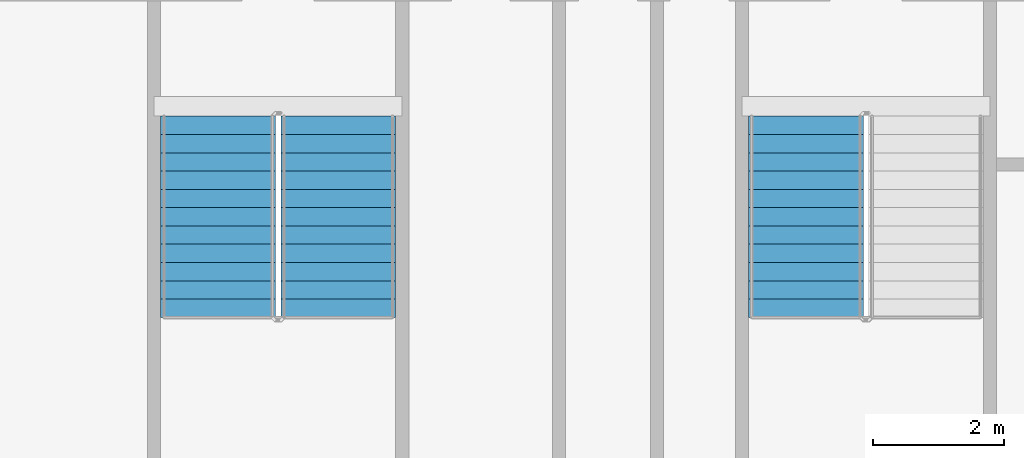
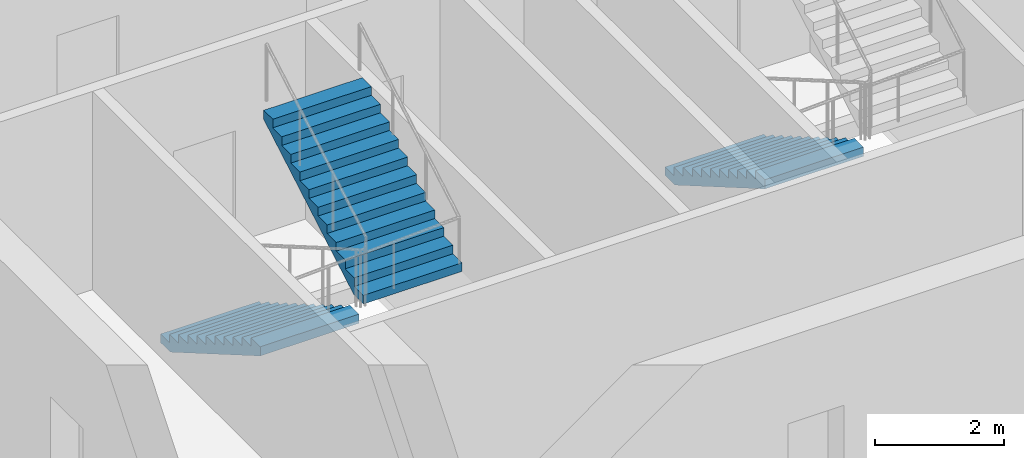
# One storey, part 14 of 21: 3 stair flights, 2 elements without a shape of their own.
"""IFC4 building model written with IfcOpenShell, lengths in metres."""

from ifc_helpers import new_model, si_unit, direction, frame, origin, place, context, subcontext, project, spatial, faceted_brep, material, type_object, element, aggregate, save


model = new_model("IFC4")

# Units and contexts
model_context = context("Model", 3, precision=1e-05, world=origin(), true_north=direction((0.0, 1.0)))
body_context = subcontext(model_context, "Body", "Model", "MODEL_VIEW")
ifc_project = project(units=[si_unit("LENGTHUNIT", "METRE"), si_unit("AREAUNIT", "SQUARE_METRE"), si_unit("VOLUMEUNIT", "CUBIC_METRE"), si_unit("PLANEANGLEUNIT", "RADIAN"), si_unit("MASSUNIT", "GRAM", prefix="KILO")], contexts=[model_context])

# Site, building, storey
site_placement = place(None, origin())
site = spatial("IfcSite", under=ifc_project, at=site_placement, CompositionType="ELEMENT")
building_placement = place(site_placement, origin())
building = spatial("IfcBuilding", under=site, at=building_placement, Name="Tarsis Ring Headquarters", CompositionType="ELEMENT")
storey_placement = place(building_placement, frame((0.0, 0.0, 255.199951171875)))
storey = spatial("IfcBuildingStorey", under=building, at=storey_placement, Name="L59", CompositionType="ELEMENT", Elevation=255.199951171875)

# Stair, stair flights
ifc_material_1 = material(Name="Core stair 1760")
stair_type = type_object("IfcStairType", Name="Core stair 1760", PredefinedType="HALF_TURN_STAIR", material=ifc_material_1)
stair_1_placement = place(storey_placement, origin())
stair_1 = element("IfcStair", 1, at=stair_1_placement, inside=storey, type_object=stair_type, Name="L59 Exit stair C", PredefinedType="HALF_TURN_STAIR")
ifc_material_2 = material(Name="Concrete C40/50", Category="concrete")
stair_flight_type = type_object("IfcStairFlightType", Name="Core stair flight 1760", PredefinedType="STRAIGHT", material=ifc_material_2)
stair_flight_1_placement = place(storey_placement, frame((-5.419921875, -3.659912109375, 0.0), z_axis=(0.0, 0.0, 1.0), x_axis=(0.0, -1.0, 0.0)))
stair_flight_1 = element("IfcStairFlight", 2, at=stair_flight_1_placement, type_object=stair_flight_type, Name="Stair ST3 flight 1", NumberOfRisers=12, NumberOfTreads=11, PredefinedType="STRAIGHT", RiserHeight=0.1625, TreadLength=0.28, context=body_context, shape_type="Brep", body=[
    faceted_brep([(0.0, 0.8798828125, 0.0), (0.0, 0.8798828125, 0.16259765625), (0.280029296875, 0.8798828125, 0.16259765625), (0.280029296875, 0.8798828125, 0.324951171875), (0.56005859375, 0.8798828125, 0.324951171875), (0.56005859375, 0.8798828125, 0.487548828125), (0.840087890625, 0.8798828125, 0.487548828125), (0.840087890625, 0.8798828125, 0.64990234375), (1.1201171875, 0.8798828125, 0.64990234375), (1.1201171875, 0.8798828125, 0.8125), (1.39990234375, 0.8798828125, 0.8125), (1.39990234375, 0.8798828125, 0.97509765625), (1.679931640625, 0.8798828125, 0.97509765625), (1.679931640625, 0.8798828125, 1.137451171875), (1.9599609375, 0.8798828125, 1.137451171875), (1.9599609375, 0.8798828125, 1.300048828125), (2.239990234375, 0.8798828125, 1.300048828125), (2.239990234375, 0.8798828125, 1.46240234375), (2.52001953125, 0.8798828125, 1.46240234375), (2.52001953125, 0.8798828125, 1.625), (2.800048828125, 0.8798828125, 1.625), (2.800048828125, 0.8798828125, 1.78759765625), (3.080078125, 0.8798828125, 1.78759765625), (3.080078125, 0.8798828125, 1.6142578125), (0.298583984375, 0.8798828125, 0.0), (0.298583984375, -0.8798828125, 0.0), (3.080078125, -0.8798828125, 1.6142578125), (3.080078125, -0.8798828125, 1.78759765625), (2.800048828125, -0.8798828125, 1.78759765625), (2.800048828125, -0.8798828125, 1.625), (2.52001953125, -0.8798828125, 1.625), (2.52001953125, -0.8798828125, 1.46240234375), (2.239990234375, -0.8798828125, 1.46240234375), (2.239990234375, -0.8798828125, 1.300048828125), (1.9599609375, -0.8798828125, 1.300048828125), (1.9599609375, -0.8798828125, 1.137451171875), (1.679931640625, -0.8798828125, 1.137451171875), (1.679931640625, -0.8798828125, 0.97509765625), (1.39990234375, -0.8798828125, 0.97509765625), (1.39990234375, -0.8798828125, 0.8125), (1.1201171875, -0.8798828125, 0.8125), (1.1201171875, -0.8798828125, 0.64990234375), (0.840087890625, -0.8798828125, 0.64990234375), (0.840087890625, -0.8798828125, 0.487548828125), (0.56005859375, -0.8798828125, 0.487548828125), (0.56005859375, -0.8798828125, 0.324951171875), (0.280029296875, -0.8798828125, 0.324951171875), (0.280029296875, -0.8798828125, 0.16259765625), (0.0, -0.8798828125, 0.16259765625), (0.0, -0.8798828125, 0.0), (0.0, -0.43994140625, 0.16259765625), (0.0, -0.43994140625, 0.0), (0.0, 0.0, 0.16259765625), (0.0, 0.0, 0.0), (0.0, 0.43994140625, 0.16259765625), (0.0, 0.43994140625, 0.0), (0.280029296875, -0.43994140625, 0.16259765625), (0.280029296875, 0.0, 0.16259765625), (0.280029296875, 0.43994140625, 0.16259765625), (0.280029296875, -0.43994140625, 0.324951171875), (0.280029296875, 0.0, 0.324951171875), (0.280029296875, 0.43994140625, 0.324951171875), (0.56005859375, -0.43994140625, 0.324951171875), (0.56005859375, 0.0, 0.324951171875), (0.56005859375, 0.43994140625, 0.324951171875), (0.56005859375, -0.43994140625, 0.487548828125), (0.56005859375, 0.0, 0.487548828125), (0.56005859375, 0.43994140625, 0.487548828125), (0.840087890625, -0.43994140625, 0.487548828125), (0.840087890625, 0.0, 0.487548828125), (0.840087890625, 0.43994140625, 0.487548828125), (0.840087890625, -0.43994140625, 0.64990234375), (0.840087890625, 0.0, 0.64990234375), (0.840087890625, 0.43994140625, 0.64990234375), (1.1201171875, -0.43994140625, 0.64990234375), (1.1201171875, 0.0, 0.64990234375), (1.1201171875, 0.43994140625, 0.64990234375), (1.1201171875, -0.43994140625, 0.8125), (1.1201171875, 0.0, 0.8125), (1.1201171875, 0.43994140625, 0.8125), (1.39990234375, -0.43994140625, 0.8125), (1.39990234375, 0.0, 0.8125), (1.39990234375, 0.43994140625, 0.8125), (1.39990234375, -0.43994140625, 0.97509765625), (1.39990234375, 0.0, 0.97509765625), (1.39990234375, 0.43994140625, 0.97509765625), (1.679931640625, -0.43994140625, 0.97509765625), (1.679931640625, 0.0, 0.97509765625), (1.679931640625, 0.43994140625, 0.97509765625), (1.679931640625, -0.43994140625, 1.137451171875), (1.679931640625, 0.0, 1.137451171875), (1.679931640625, 0.43994140625, 1.137451171875), (1.9599609375, -0.43994140625, 1.137451171875), (1.9599609375, 0.0, 1.137451171875), (1.9599609375, 0.43994140625, 1.137451171875), (1.9599609375, -0.43994140625, 1.300048828125), (1.9599609375, 0.0, 1.300048828125), (1.9599609375, 0.43994140625, 1.300048828125), (2.239990234375, -0.43994140625, 1.300048828125), (2.239990234375, 0.0, 1.300048828125), (2.239990234375, 0.43994140625, 1.300048828125), (2.239990234375, -0.43994140625, 1.46240234375), (2.239990234375, 0.0, 1.46240234375), (2.239990234375, 0.43994140625, 1.46240234375), (2.52001953125, -0.43994140625, 1.46240234375), (2.52001953125, 0.0, 1.46240234375), (2.52001953125, 0.43994140625, 1.46240234375), (2.52001953125, -0.43994140625, 1.625), (2.52001953125, 0.0, 1.625), (2.52001953125, 0.43994140625, 1.625), (2.800048828125, -0.43994140625, 1.625), (2.800048828125, 0.0, 1.625), (2.800048828125, 0.43994140625, 1.625), (2.800048828125, -0.43994140625, 1.78759765625), (2.800048828125, 0.0, 1.78759765625), (2.800048828125, 0.43994140625, 1.78759765625), (3.080078125, -0.43994140625, 1.78759765625), (3.080078125, 0.0, 1.78759765625), (3.080078125, 0.43994140625, 1.78759765625), (3.080078125, -0.43994140625, 1.6142578125), (3.080078125, 0.0, 1.6142578125), (3.080078125, 0.43994140625, 1.6142578125), (0.298583984375, -0.43994140625, 0.0), (0.298583984375, 0.0, 0.0), (0.298583984375, 0.43994140625, 0.0)], [[[0, 1, 2, 3, 4, 5, 6, 7, 8, 9, 10, 11, 12, 13, 14, 15, 16, 17, 18, 19, 20, 21, 22, 23, 24]], [[25, 26, 27, 28, 29, 30, 31, 32, 33, 34, 35, 36, 37, 38, 39, 40, 41, 42, 43, 44, 45, 46, 47, 48, 49]], [[49, 48, 50, 51]], [[51, 50, 52, 53]], [[53, 52, 54, 55]], [[55, 54, 1, 0]], [[48, 47, 56, 50]], [[50, 56, 57, 52]], [[52, 57, 58, 54]], [[54, 58, 2, 1]], [[47, 46, 59, 56]], [[56, 59, 60, 57]], [[57, 60, 61, 58]], [[58, 61, 3, 2]], [[46, 45, 62, 59]], [[59, 62, 63, 60]], [[60, 63, 64, 61]], [[61, 64, 4, 3]], [[45, 44, 65, 62]], [[62, 65, 66, 63]], [[63, 66, 67, 64]], [[64, 67, 5, 4]], [[44, 43, 68, 65]], [[65, 68, 69, 66]], [[66, 69, 70, 67]], [[67, 70, 6, 5]], [[43, 42, 71, 68]], [[68, 71, 72, 69]], [[69, 72, 73, 70]], [[70, 73, 7, 6]], [[42, 41, 74, 71]], [[71, 74, 75, 72]], [[72, 75, 76, 73]], [[73, 76, 8, 7]], [[41, 40, 77, 74]], [[74, 77, 78, 75]], [[75, 78, 79, 76]], [[76, 79, 9, 8]], [[40, 39, 80, 77]], [[77, 80, 81, 78]], [[78, 81, 82, 79]], [[79, 82, 10, 9]], [[39, 38, 83, 80]], [[80, 83, 84, 81]], [[81, 84, 85, 82]], [[82, 85, 11, 10]], [[38, 37, 86, 83]], [[83, 86, 87, 84]], [[84, 87, 88, 85]], [[85, 88, 12, 11]], [[37, 36, 89, 86]], [[86, 89, 90, 87]], [[87, 90, 91, 88]], [[88, 91, 13, 12]], [[36, 35, 92, 89]], [[89, 92, 93, 90]], [[90, 93, 94, 91]], [[91, 94, 14, 13]], [[35, 34, 95, 92]], [[92, 95, 96, 93]], [[93, 96, 97, 94]], [[94, 97, 15, 14]], [[34, 33, 98, 95]], [[95, 98, 99, 96]], [[96, 99, 100, 97]], [[97, 100, 16, 15]], [[33, 32, 101, 98]], [[98, 101, 102, 99]], [[99, 102, 103, 100]], [[100, 103, 17, 16]], [[32, 31, 104, 101]], [[101, 104, 105, 102]], [[102, 105, 106, 103]], [[103, 106, 18, 17]], [[31, 30, 107, 104]], [[104, 107, 108, 105]], [[105, 108, 109, 106]], [[106, 109, 19, 18]], [[30, 29, 110, 107]], [[107, 110, 111, 108]], [[108, 111, 112, 109]], [[109, 112, 20, 19]], [[29, 28, 113, 110]], [[110, 113, 114, 111]], [[111, 114, 115, 112]], [[112, 115, 21, 20]], [[28, 27, 116, 113]], [[113, 116, 117, 114]], [[114, 117, 118, 115]], [[115, 118, 22, 21]], [[27, 26, 119, 116]], [[116, 119, 120, 117]], [[117, 120, 121, 118]], [[118, 121, 23, 22]], [[26, 25, 122, 119]], [[119, 122, 123, 120]], [[120, 123, 124, 121]], [[121, 124, 24, 23]], [[25, 49, 51, 122]], [[122, 51, 53, 123]], [[123, 53, 55, 124]], [[124, 55, 0, 24]]]),
])
stair_flight_2_placement = place(storey_placement, frame((-3.580078125, -6.739990234375, 1.949951171875), z_axis=(0.0, 0.0, 1.0), x_axis=(0.0, 1.0, 0.0)))
stair_flight_2 = element("IfcStairFlight", 3, at=stair_flight_2_placement, type_object=stair_flight_type, Name="Stair ST3 flight 2", NumberOfRisers=12, NumberOfTreads=11, PredefinedType="STRAIGHT", RiserHeight=0.1625, TreadLength=0.28, context=body_context, shape_type="Brep", body=[
    faceted_brep([(0.0, 0.8798828125, 0.0), (0.0, 0.8798828125, 0.16259765625), (0.280029296875, 0.8798828125, 0.16259765625), (0.280029296875, 0.8798828125, 0.324951171875), (0.56005859375, 0.8798828125, 0.324951171875), (0.56005859375, 0.8798828125, 0.487548828125), (0.840087890625, 0.8798828125, 0.487548828125), (0.840087890625, 0.8798828125, 0.64990234375), (1.1201171875, 0.8798828125, 0.64990234375), (1.1201171875, 0.8798828125, 0.8125), (1.39990234375, 0.8798828125, 0.8125), (1.39990234375, 0.8798828125, 0.97509765625), (1.679931640625, 0.8798828125, 0.97509765625), (1.679931640625, 0.8798828125, 1.137451171875), (1.9599609375, 0.8798828125, 1.137451171875), (1.9599609375, 0.8798828125, 1.300048828125), (2.239990234375, 0.8798828125, 1.300048828125), (2.239990234375, 0.8798828125, 1.46240234375), (2.52001953125, 0.8798828125, 1.46240234375), (2.52001953125, 0.8798828125, 1.625), (2.800048828125, 0.8798828125, 1.625), (2.800048828125, 0.8798828125, 1.78759765625), (3.080078125, 0.8798828125, 1.78759765625), (3.080078125, 0.8798828125, 1.6142578125), (0.298583984375, 0.8798828125, 0.0), (0.298583984375, -0.8798828125, 0.0), (3.080078125, -0.8798828125, 1.6142578125), (3.080078125, -0.8798828125, 1.78759765625), (2.800048828125, -0.8798828125, 1.78759765625), (2.800048828125, -0.8798828125, 1.625), (2.52001953125, -0.8798828125, 1.625), (2.52001953125, -0.8798828125, 1.46240234375), (2.239990234375, -0.8798828125, 1.46240234375), (2.239990234375, -0.8798828125, 1.300048828125), (1.9599609375, -0.8798828125, 1.300048828125), (1.9599609375, -0.8798828125, 1.137451171875), (1.679931640625, -0.8798828125, 1.137451171875), (1.679931640625, -0.8798828125, 0.97509765625), (1.39990234375, -0.8798828125, 0.97509765625), (1.39990234375, -0.8798828125, 0.8125), (1.1201171875, -0.8798828125, 0.8125), (1.1201171875, -0.8798828125, 0.64990234375), (0.840087890625, -0.8798828125, 0.64990234375), (0.840087890625, -0.8798828125, 0.487548828125), (0.56005859375, -0.8798828125, 0.487548828125), (0.56005859375, -0.8798828125, 0.324951171875), (0.280029296875, -0.8798828125, 0.324951171875), (0.280029296875, -0.8798828125, 0.16259765625), (0.0, -0.8798828125, 0.16259765625), (0.0, -0.8798828125, 0.0), (0.0, -0.43994140625, 0.16259765625), (0.0, -0.43994140625, 0.0), (0.0, 0.0, 0.16259765625), (0.0, 0.0, 0.0), (0.0, 0.43994140625, 0.16259765625), (0.0, 0.43994140625, 0.0), (0.280029296875, -0.43994140625, 0.16259765625), (0.280029296875, 0.0, 0.16259765625), (0.280029296875, 0.43994140625, 0.16259765625), (0.280029296875, -0.43994140625, 0.324951171875), (0.280029296875, 0.0, 0.324951171875), (0.280029296875, 0.43994140625, 0.324951171875), (0.56005859375, -0.43994140625, 0.324951171875), (0.56005859375, 0.0, 0.324951171875), (0.56005859375, 0.43994140625, 0.324951171875), (0.56005859375, -0.43994140625, 0.487548828125), (0.56005859375, 0.0, 0.487548828125), (0.56005859375, 0.43994140625, 0.487548828125), (0.840087890625, -0.43994140625, 0.487548828125), (0.840087890625, 0.0, 0.487548828125), (0.840087890625, 0.43994140625, 0.487548828125), (0.840087890625, -0.43994140625, 0.64990234375), (0.840087890625, 0.0, 0.64990234375), (0.840087890625, 0.43994140625, 0.64990234375), (1.1201171875, -0.43994140625, 0.64990234375), (1.1201171875, 0.0, 0.64990234375), (1.1201171875, 0.43994140625, 0.64990234375), (1.1201171875, -0.43994140625, 0.8125), (1.1201171875, 0.0, 0.8125), (1.1201171875, 0.43994140625, 0.8125), (1.39990234375, -0.43994140625, 0.8125), (1.39990234375, 0.0, 0.8125), (1.39990234375, 0.43994140625, 0.8125), (1.39990234375, -0.43994140625, 0.97509765625), (1.39990234375, 0.0, 0.97509765625), (1.39990234375, 0.43994140625, 0.97509765625), (1.679931640625, -0.43994140625, 0.97509765625), (1.679931640625, 0.0, 0.97509765625), (1.679931640625, 0.43994140625, 0.97509765625), (1.679931640625, -0.43994140625, 1.137451171875), (1.679931640625, 0.0, 1.137451171875), (1.679931640625, 0.43994140625, 1.137451171875), (1.9599609375, -0.43994140625, 1.137451171875), (1.9599609375, 0.0, 1.137451171875), (1.9599609375, 0.43994140625, 1.137451171875), (1.9599609375, -0.43994140625, 1.300048828125), (1.9599609375, 0.0, 1.300048828125), (1.9599609375, 0.43994140625, 1.300048828125), (2.239990234375, -0.43994140625, 1.300048828125), (2.239990234375, 0.0, 1.300048828125), (2.239990234375, 0.43994140625, 1.300048828125), (2.239990234375, -0.43994140625, 1.46240234375), (2.239990234375, 0.0, 1.46240234375), (2.239990234375, 0.43994140625, 1.46240234375), (2.52001953125, -0.43994140625, 1.46240234375), (2.52001953125, 0.0, 1.46240234375), (2.52001953125, 0.43994140625, 1.46240234375), (2.52001953125, -0.43994140625, 1.625), (2.52001953125, 0.0, 1.625), (2.52001953125, 0.43994140625, 1.625), (2.800048828125, -0.43994140625, 1.625), (2.800048828125, 0.0, 1.625), (2.800048828125, 0.43994140625, 1.625), (2.800048828125, -0.43994140625, 1.78759765625), (2.800048828125, 0.0, 1.78759765625), (2.800048828125, 0.43994140625, 1.78759765625), (3.080078125, -0.43994140625, 1.78759765625), (3.080078125, 0.0, 1.78759765625), (3.080078125, 0.43994140625, 1.78759765625), (3.080078125, -0.43994140625, 1.6142578125), (3.080078125, 0.0, 1.6142578125), (3.080078125, 0.43994140625, 1.6142578125), (0.298583984375, -0.43994140625, 0.0), (0.298583984375, 0.0, 0.0), (0.298583984375, 0.43994140625, 0.0)], [[[0, 1, 2, 3, 4, 5, 6, 7, 8, 9, 10, 11, 12, 13, 14, 15, 16, 17, 18, 19, 20, 21, 22, 23, 24]], [[25, 26, 27, 28, 29, 30, 31, 32, 33, 34, 35, 36, 37, 38, 39, 40, 41, 42, 43, 44, 45, 46, 47, 48, 49]], [[49, 48, 50, 51]], [[51, 50, 52, 53]], [[53, 52, 54, 55]], [[55, 54, 1, 0]], [[48, 47, 56, 50]], [[50, 56, 57, 52]], [[52, 57, 58, 54]], [[54, 58, 2, 1]], [[47, 46, 59, 56]], [[56, 59, 60, 57]], [[57, 60, 61, 58]], [[58, 61, 3, 2]], [[46, 45, 62, 59]], [[59, 62, 63, 60]], [[60, 63, 64, 61]], [[61, 64, 4, 3]], [[45, 44, 65, 62]], [[62, 65, 66, 63]], [[63, 66, 67, 64]], [[64, 67, 5, 4]], [[44, 43, 68, 65]], [[65, 68, 69, 66]], [[66, 69, 70, 67]], [[67, 70, 6, 5]], [[43, 42, 71, 68]], [[68, 71, 72, 69]], [[69, 72, 73, 70]], [[70, 73, 7, 6]], [[42, 41, 74, 71]], [[71, 74, 75, 72]], [[72, 75, 76, 73]], [[73, 76, 8, 7]], [[41, 40, 77, 74]], [[74, 77, 78, 75]], [[75, 78, 79, 76]], [[76, 79, 9, 8]], [[40, 39, 80, 77]], [[77, 80, 81, 78]], [[78, 81, 82, 79]], [[79, 82, 10, 9]], [[39, 38, 83, 80]], [[80, 83, 84, 81]], [[81, 84, 85, 82]], [[82, 85, 11, 10]], [[38, 37, 86, 83]], [[83, 86, 87, 84]], [[84, 87, 88, 85]], [[85, 88, 12, 11]], [[37, 36, 89, 86]], [[86, 89, 90, 87]], [[87, 90, 91, 88]], [[88, 91, 13, 12]], [[36, 35, 92, 89]], [[89, 92, 93, 90]], [[90, 93, 94, 91]], [[91, 94, 14, 13]], [[35, 34, 95, 92]], [[92, 95, 96, 93]], [[93, 96, 97, 94]], [[94, 97, 15, 14]], [[34, 33, 98, 95]], [[95, 98, 99, 96]], [[96, 99, 100, 97]], [[97, 100, 16, 15]], [[33, 32, 101, 98]], [[98, 101, 102, 99]], [[99, 102, 103, 100]], [[100, 103, 17, 16]], [[32, 31, 104, 101]], [[101, 104, 105, 102]], [[102, 105, 106, 103]], [[103, 106, 18, 17]], [[31, 30, 107, 104]], [[104, 107, 108, 105]], [[105, 108, 109, 106]], [[106, 109, 19, 18]], [[30, 29, 110, 107]], [[107, 110, 111, 108]], [[108, 111, 112, 109]], [[109, 112, 20, 19]], [[29, 28, 113, 110]], [[110, 113, 114, 111]], [[111, 114, 115, 112]], [[112, 115, 21, 20]], [[28, 27, 116, 113]], [[113, 116, 117, 114]], [[114, 117, 118, 115]], [[115, 118, 22, 21]], [[27, 26, 119, 116]], [[116, 119, 120, 117]], [[117, 120, 121, 118]], [[118, 121, 23, 22]], [[26, 25, 122, 119]], [[119, 122, 123, 120]], [[120, 123, 124, 121]], [[121, 124, 24, 23]], [[25, 49, 51, 122]], [[122, 51, 53, 123]], [[123, 53, 55, 124]], [[124, 55, 0, 24]]]),
])
aggregate(stair_1, [stair_flight_1, stair_flight_2])

# Stair, stair flight
stair_2_placement = place(storey_placement, origin())
stair_2 = element("IfcStair", 4, at=stair_2_placement, inside=storey, type_object=stair_type, Name="L59 Exit stair D", PredefinedType="HALF_TURN_STAIR")
stair_flight_3_placement = place(storey_placement, frame((3.580078125, -3.659912109375, 0.0), z_axis=(0.0, 0.0, 1.0), x_axis=(0.0, -1.0, 0.0)))
stair_flight_3 = element("IfcStairFlight", 5, at=stair_flight_3_placement, type_object=stair_flight_type, Name="Stair ST4 flight 1", NumberOfRisers=12, NumberOfTreads=11, PredefinedType="STRAIGHT", RiserHeight=0.1625, TreadLength=0.28, context=body_context, shape_type="Brep", body=[
    faceted_brep([(0.0, 0.8798828125, 0.0), (0.0, 0.8798828125, 0.16259765625), (0.280029296875, 0.8798828125, 0.16259765625), (0.280029296875, 0.8798828125, 0.324951171875), (0.56005859375, 0.8798828125, 0.324951171875), (0.56005859375, 0.8798828125, 0.487548828125), (0.840087890625, 0.8798828125, 0.487548828125), (0.840087890625, 0.8798828125, 0.64990234375), (1.1201171875, 0.8798828125, 0.64990234375), (1.1201171875, 0.8798828125, 0.8125), (1.39990234375, 0.8798828125, 0.8125), (1.39990234375, 0.8798828125, 0.97509765625), (1.679931640625, 0.8798828125, 0.97509765625), (1.679931640625, 0.8798828125, 1.137451171875), (1.9599609375, 0.8798828125, 1.137451171875), (1.9599609375, 0.8798828125, 1.300048828125), (2.239990234375, 0.8798828125, 1.300048828125), (2.239990234375, 0.8798828125, 1.46240234375), (2.52001953125, 0.8798828125, 1.46240234375), (2.52001953125, 0.8798828125, 1.625), (2.800048828125, 0.8798828125, 1.625), (2.800048828125, 0.8798828125, 1.78759765625), (3.080078125, 0.8798828125, 1.78759765625), (3.080078125, 0.8798828125, 1.6142578125), (0.298583984375, 0.8798828125, 0.0), (0.298583984375, -0.8798828125, 0.0), (3.080078125, -0.8798828125, 1.6142578125), (3.080078125, -0.8798828125, 1.78759765625), (2.800048828125, -0.8798828125, 1.78759765625), (2.800048828125, -0.8798828125, 1.625), (2.52001953125, -0.8798828125, 1.625), (2.52001953125, -0.8798828125, 1.46240234375), (2.239990234375, -0.8798828125, 1.46240234375), (2.239990234375, -0.8798828125, 1.300048828125), (1.9599609375, -0.8798828125, 1.300048828125), (1.9599609375, -0.8798828125, 1.137451171875), (1.679931640625, -0.8798828125, 1.137451171875), (1.679931640625, -0.8798828125, 0.97509765625), (1.39990234375, -0.8798828125, 0.97509765625), (1.39990234375, -0.8798828125, 0.8125), (1.1201171875, -0.8798828125, 0.8125), (1.1201171875, -0.8798828125, 0.64990234375), (0.840087890625, -0.8798828125, 0.64990234375), (0.840087890625, -0.8798828125, 0.487548828125), (0.56005859375, -0.8798828125, 0.487548828125), (0.56005859375, -0.8798828125, 0.324951171875), (0.280029296875, -0.8798828125, 0.324951171875), (0.280029296875, -0.8798828125, 0.16259765625), (0.0, -0.8798828125, 0.16259765625), (0.0, -0.8798828125, 0.0), (0.0, -0.43994140625, 0.16259765625), (0.0, -0.43994140625, 0.0), (0.0, 0.0, 0.16259765625), (0.0, 0.0, 0.0), (0.0, 0.43994140625, 0.16259765625), (0.0, 0.43994140625, 0.0), (0.280029296875, -0.43994140625, 0.16259765625), (0.280029296875, 0.0, 0.16259765625), (0.280029296875, 0.43994140625, 0.16259765625), (0.280029296875, -0.43994140625, 0.324951171875), (0.280029296875, 0.0, 0.324951171875), (0.280029296875, 0.43994140625, 0.324951171875), (0.56005859375, -0.43994140625, 0.324951171875), (0.56005859375, 0.0, 0.324951171875), (0.56005859375, 0.43994140625, 0.324951171875), (0.56005859375, -0.43994140625, 0.487548828125), (0.56005859375, 0.0, 0.487548828125), (0.56005859375, 0.43994140625, 0.487548828125), (0.840087890625, -0.43994140625, 0.487548828125), (0.840087890625, 0.0, 0.487548828125), (0.840087890625, 0.43994140625, 0.487548828125), (0.840087890625, -0.43994140625, 0.64990234375), (0.840087890625, 0.0, 0.64990234375), (0.840087890625, 0.43994140625, 0.64990234375), (1.1201171875, -0.43994140625, 0.64990234375), (1.1201171875, 0.0, 0.64990234375), (1.1201171875, 0.43994140625, 0.64990234375), (1.1201171875, -0.43994140625, 0.8125), (1.1201171875, 0.0, 0.8125), (1.1201171875, 0.43994140625, 0.8125), (1.39990234375, -0.43994140625, 0.8125), (1.39990234375, 0.0, 0.8125), (1.39990234375, 0.43994140625, 0.8125), (1.39990234375, -0.43994140625, 0.97509765625), (1.39990234375, 0.0, 0.97509765625), (1.39990234375, 0.43994140625, 0.97509765625), (1.679931640625, -0.43994140625, 0.97509765625), (1.679931640625, 0.0, 0.97509765625), (1.679931640625, 0.43994140625, 0.97509765625), (1.679931640625, -0.43994140625, 1.137451171875), (1.679931640625, 0.0, 1.137451171875), (1.679931640625, 0.43994140625, 1.137451171875), (1.9599609375, -0.43994140625, 1.137451171875), (1.9599609375, 0.0, 1.137451171875), (1.9599609375, 0.43994140625, 1.137451171875), (1.9599609375, -0.43994140625, 1.300048828125), (1.9599609375, 0.0, 1.300048828125), (1.9599609375, 0.43994140625, 1.300048828125), (2.239990234375, -0.43994140625, 1.300048828125), (2.239990234375, 0.0, 1.300048828125), (2.239990234375, 0.43994140625, 1.300048828125), (2.239990234375, -0.43994140625, 1.46240234375), (2.239990234375, 0.0, 1.46240234375), (2.239990234375, 0.43994140625, 1.46240234375), (2.52001953125, -0.43994140625, 1.46240234375), (2.52001953125, 0.0, 1.46240234375), (2.52001953125, 0.43994140625, 1.46240234375), (2.52001953125, -0.43994140625, 1.625), (2.52001953125, 0.0, 1.625), (2.52001953125, 0.43994140625, 1.625), (2.800048828125, -0.43994140625, 1.625), (2.800048828125, 0.0, 1.625), (2.800048828125, 0.43994140625, 1.625), (2.800048828125, -0.43994140625, 1.78759765625), (2.800048828125, 0.0, 1.78759765625), (2.800048828125, 0.43994140625, 1.78759765625), (3.080078125, -0.43994140625, 1.78759765625), (3.080078125, 0.0, 1.78759765625), (3.080078125, 0.43994140625, 1.78759765625), (3.080078125, -0.43994140625, 1.6142578125), (3.080078125, 0.0, 1.6142578125), (3.080078125, 0.43994140625, 1.6142578125), (0.298583984375, -0.43994140625, 0.0), (0.298583984375, 0.0, 0.0), (0.298583984375, 0.43994140625, 0.0)], [[[0, 1, 2, 3, 4, 5, 6, 7, 8, 9, 10, 11, 12, 13, 14, 15, 16, 17, 18, 19, 20, 21, 22, 23, 24]], [[25, 26, 27, 28, 29, 30, 31, 32, 33, 34, 35, 36, 37, 38, 39, 40, 41, 42, 43, 44, 45, 46, 47, 48, 49]], [[49, 48, 50, 51]], [[51, 50, 52, 53]], [[53, 52, 54, 55]], [[55, 54, 1, 0]], [[48, 47, 56, 50]], [[50, 56, 57, 52]], [[52, 57, 58, 54]], [[54, 58, 2, 1]], [[47, 46, 59, 56]], [[56, 59, 60, 57]], [[57, 60, 61, 58]], [[58, 61, 3, 2]], [[46, 45, 62, 59]], [[59, 62, 63, 60]], [[60, 63, 64, 61]], [[61, 64, 4, 3]], [[45, 44, 65, 62]], [[62, 65, 66, 63]], [[63, 66, 67, 64]], [[64, 67, 5, 4]], [[44, 43, 68, 65]], [[65, 68, 69, 66]], [[66, 69, 70, 67]], [[67, 70, 6, 5]], [[43, 42, 71, 68]], [[68, 71, 72, 69]], [[69, 72, 73, 70]], [[70, 73, 7, 6]], [[42, 41, 74, 71]], [[71, 74, 75, 72]], [[72, 75, 76, 73]], [[73, 76, 8, 7]], [[41, 40, 77, 74]], [[74, 77, 78, 75]], [[75, 78, 79, 76]], [[76, 79, 9, 8]], [[40, 39, 80, 77]], [[77, 80, 81, 78]], [[78, 81, 82, 79]], [[79, 82, 10, 9]], [[39, 38, 83, 80]], [[80, 83, 84, 81]], [[81, 84, 85, 82]], [[82, 85, 11, 10]], [[38, 37, 86, 83]], [[83, 86, 87, 84]], [[84, 87, 88, 85]], [[85, 88, 12, 11]], [[37, 36, 89, 86]], [[86, 89, 90, 87]], [[87, 90, 91, 88]], [[88, 91, 13, 12]], [[36, 35, 92, 89]], [[89, 92, 93, 90]], [[90, 93, 94, 91]], [[91, 94, 14, 13]], [[35, 34, 95, 92]], [[92, 95, 96, 93]], [[93, 96, 97, 94]], [[94, 97, 15, 14]], [[34, 33, 98, 95]], [[95, 98, 99, 96]], [[96, 99, 100, 97]], [[97, 100, 16, 15]], [[33, 32, 101, 98]], [[98, 101, 102, 99]], [[99, 102, 103, 100]], [[100, 103, 17, 16]], [[32, 31, 104, 101]], [[101, 104, 105, 102]], [[102, 105, 106, 103]], [[103, 106, 18, 17]], [[31, 30, 107, 104]], [[104, 107, 108, 105]], [[105, 108, 109, 106]], [[106, 109, 19, 18]], [[30, 29, 110, 107]], [[107, 110, 111, 108]], [[108, 111, 112, 109]], [[109, 112, 20, 19]], [[29, 28, 113, 110]], [[110, 113, 114, 111]], [[111, 114, 115, 112]], [[112, 115, 21, 20]], [[28, 27, 116, 113]], [[113, 116, 117, 114]], [[114, 117, 118, 115]], [[115, 118, 22, 21]], [[27, 26, 119, 116]], [[116, 119, 120, 117]], [[117, 120, 121, 118]], [[118, 121, 23, 22]], [[26, 25, 122, 119]], [[119, 122, 123, 120]], [[120, 123, 124, 121]], [[121, 124, 24, 23]], [[25, 49, 51, 122]], [[122, 51, 53, 123]], [[123, 53, 55, 124]], [[124, 55, 0, 24]]]),
])
aggregate(stair_2, [stair_flight_3])

save(model, "model.ifc")
